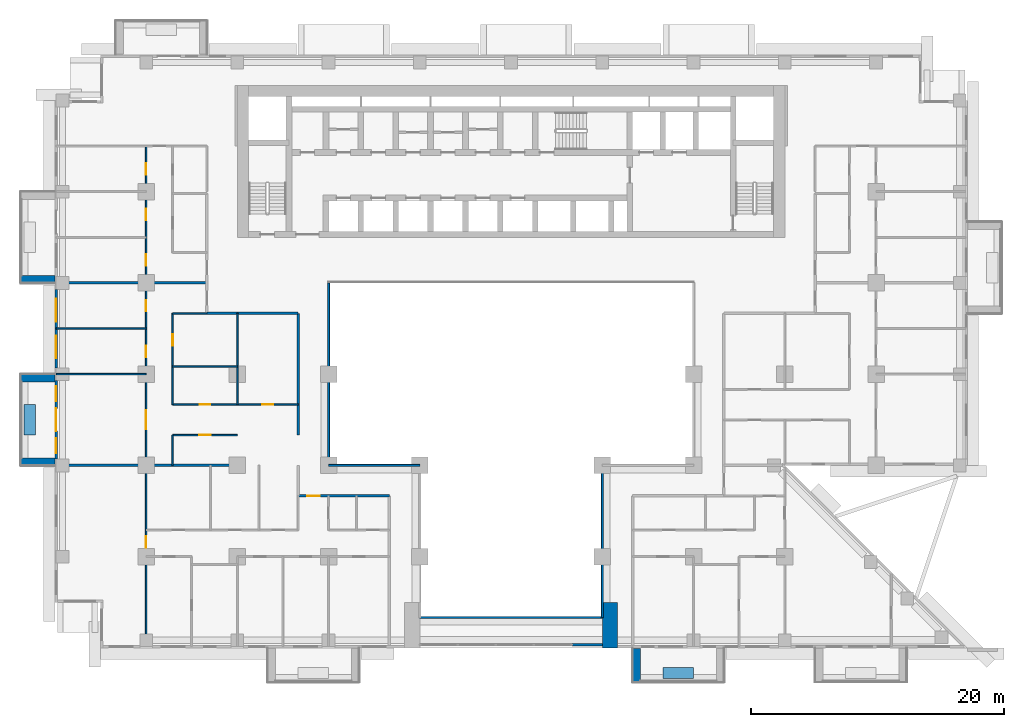
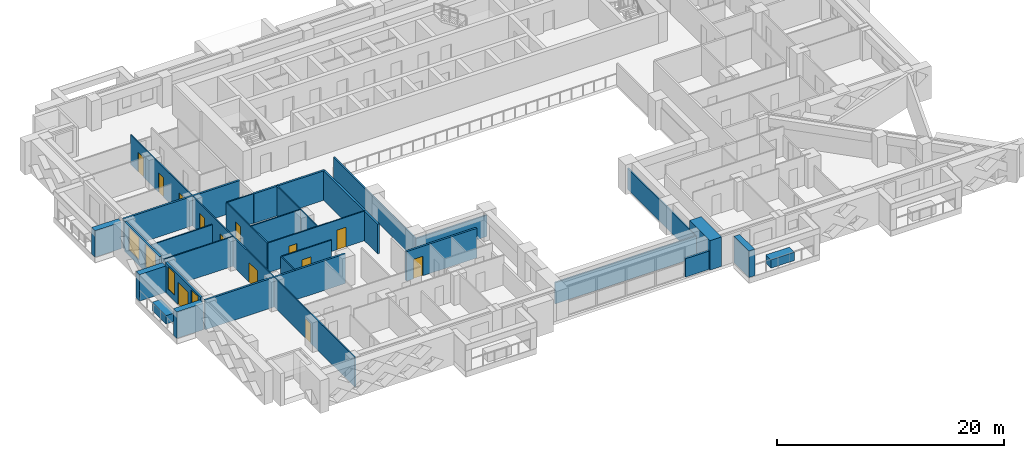
# One storey, part 7 of 17: 29 walls, 13 doors, 4 windows, 17 openings.
"""IFC4 building model written with IfcOpenShell, lengths in metres."""

import ifcopenshell
import ifcopenshell.guid

model = None  # the IFC model being written
_history = None  # IfcOwnerHistory: only IFC2X3 demands one
_inside = {}  # id of a spatial element -> (the spatial element, [elements in it])
_under = {}  # id of a project, library or spatial element -> (it, [spatial elements below it])
_declared = {}  # id of a project -> (the project, [libraries it declares])
_typed = {}  # id of a type object -> (the type object, [elements of that type])
_made_of = {}  # id of a material, layer set ... -> (it, [elements and type objects made of it])


def new_model(schema):
    """Start an empty IFC model of exactly this schema.

    Asked for "IFC4X3", IfcOpenShell would pick the latest addendum, in which some entities
    have other attributes; the version numbers below select the first issue.
    IFC2X3 requires an IfcOwnerHistory on every rooted entity: one is made here for all.
    """
    global model, _history
    if schema == "IFC4X3":
        model = ifcopenshell.file(schema_version=(4, 3, 0, 0))
    else:
        model = ifcopenshell.file(schema=schema)
    _inside.clear()
    _under.clear()
    _declared.clear()
    _typed.clear()
    _made_of.clear()
    _history = None
    if model.schema == "IFC2X3":
        org = make("IfcOrganization", Name="unknown")
        user = make(
            "IfcPersonAndOrganization",
            ThePerson=make("IfcPerson", FamilyName="unknown"),
            TheOrganization=org,
        )
        app = make(
            "IfcApplication",
            ApplicationDeveloper=org,
            Version="unknown",
            ApplicationFullName="unknown",
            ApplicationIdentifier="unknown",
        )
        _history = make(
            "IfcOwnerHistory",
            OwningUser=user,
            OwningApplication=app,
            ChangeAction="ADDED",
            CreationDate=0,
        )
    return model


def make(cls, **values):
    """One entity of the class cls with the attributes given. An attribute that is None is left unset."""
    return model.create_entity(
        cls, **{name: value for name, value in values.items() if value is not None}
    )


def rooted(cls, **values):
    """An entity with a GlobalId (a new one), such as an element, a storey or a relation."""
    return make(cls, GlobalId=ifcopenshell.guid.new(), OwnerHistory=_history, **values)


def si_unit(unit_type, name, prefix=None):
    """IfcSIUnit, for example si_unit("LENGTHUNIT", "METRE", prefix="MILLI")."""
    return make("IfcSIUnit", UnitType=unit_type, Prefix=prefix, Name=name)


def assignment(units):
    """IfcUnitAssignment: the units of a project."""
    return None if units is None else make("IfcUnitAssignment", Units=units)


def point(xyz):
    """IfcCartesianPoint."""
    return None if xyz is None else make("IfcCartesianPoint", Coordinates=xyz)


def direction(xyz):
    """IfcDirection."""
    return None if xyz is None else make("IfcDirection", DirectionRatios=xyz)


def frame(location, z_axis=None, x_axis=None):
    """IfcAxis2Placement3D, a coordinate frame: its origin and axes. An axis left out is left unset."""
    return make(
        "IfcAxis2Placement3D",
        Location=point(location),
        Axis=direction(z_axis),
        RefDirection=direction(x_axis),
    )


def frame_2d(location, x_axis=None):
    """IfcAxis2Placement2D, a coordinate frame in the plane: its origin and x axis."""
    return make(
        "IfcAxis2Placement2D", Location=point(location), RefDirection=direction(x_axis)
    )


def origin():
    """The frame at (0, 0, 0) with its axes left unset."""
    return frame((0.0, 0.0, 0.0))


def place(relative_to, where):
    """IfcLocalPlacement: puts the frame where relative to a parent placement (None: the world)."""
    return make(
        "IfcLocalPlacement", PlacementRelTo=relative_to, RelativePlacement=where
    )


def context(
    kind, dimensions, precision=None, world=None, true_north=None, identifier=None
):
    """IfcGeometricRepresentationContext, for example the 3D "Model" context."""
    return make(
        "IfcGeometricRepresentationContext",
        ContextIdentifier=identifier,
        ContextType=kind,
        CoordinateSpaceDimension=dimensions,
        Precision=precision,
        WorldCoordinateSystem=world,
        TrueNorth=true_north,
    )


def subcontext(parent, identifier, kind, view, scale=None):
    """IfcGeometricRepresentationSubContext, for example "Body" below "Model"."""
    return make(
        "IfcGeometricRepresentationSubContext",
        ContextIdentifier=identifier,
        ContextType=kind,
        ParentContext=parent,
        TargetScale=scale,
        TargetView=view,
    )


def project(units=None, contexts=None):
    """IfcProject with its units and contexts."""
    return rooted(
        "IfcProject",
        Name="project",
        RepresentationContexts=contexts,
        UnitsInContext=assignment(units),
    )


def spatial(cls, under=None, at=None, **own):
    """A site, building, storey or space (cls), placed at a placement, below another one or the project."""
    s = rooted(cls, ObjectPlacement=at, **own)
    if under is not None:
        _under.setdefault(under.id(), (under, []))[1].append(s)
    return s


def profile(cls, at=None, kind="AREA", **sizes):
    """A parametric profile (cls). Its sizes go by their IFC names, for example OverallWidth=200.0."""
    return make(cls, ProfileType=kind, Position=at, **sizes)


def rectangle(**sizes):
    """IfcRectangleProfileDef."""
    return profile("IfcRectangleProfileDef", **sizes)


def extrude(swept, where, along, depth):
    """IfcExtrudedAreaSolid: the profile swept, set in the frame where, extruded along a direction by depth."""
    return make(
        "IfcExtrudedAreaSolid",
        SweptArea=swept,
        Position=where,
        ExtrudedDirection=direction(along),
        Depth=depth,
    )


def shape(context_of_items, identifier, shape_type, items):
    """IfcShapeRepresentation: the items that make up one representation, for example the "Body"."""
    return make(
        "IfcShapeRepresentation",
        ContextOfItems=context_of_items,
        RepresentationIdentifier=identifier,
        RepresentationType=shape_type,
        Items=items,
    )


def material(Name=None, Category=None):
    """IfcMaterial."""
    return make("IfcMaterial", Name=Name, Category=Category)


def layer(
    of_material, thickness, ventilated=None, Name=None, Category=None, Priority=None
):
    """IfcMaterialLayer: one layer of a wall or slab, of a material (None: an air gap)."""
    return make(
        "IfcMaterialLayer",
        Material=of_material,
        LayerThickness=thickness,
        IsVentilated=ventilated,
        Name=Name,
        Category=Category,
        Priority=Priority,
    )


def layer_set(layers, Name=None):
    """IfcMaterialLayerSet."""
    return make("IfcMaterialLayerSet", MaterialLayers=layers, LayerSetName=Name)


def made_of(thing, what):
    """Note that an element or type object is made of a material, layer set ...; save() writes the relation."""
    if what is not None:
        _made_of.setdefault(what.id(), (what, []))[1].append(thing)
    return thing


def type_object(cls, material=None, **own):
    """A type object (cls), such as IfcWallType, which elements share."""
    return made_of(rooted(cls, **own), material)


def element(
    cls,
    number,
    at=None,
    inside=None,
    cuts=None,
    type_object=None,
    material=None,
    context=None,
    identifier="Body",
    shape_type=None,
    held_by="IfcProductDefinitionShape",
    body=None,
    shapes=None,
    **own,
):
    """One element of the class cls, such as IfcWall. Its Tag is "e" and its number.

    at: its placement. inside: the storey or other place that contains it. cuts: it is an
    opening in that element (IfcRelVoidsElement). A single representation is given by context,
    identifier, shape_type and body (its items); several are given by shapes. held_by: the class
    of the entity that holds the representations. save() writes the other relations.
    """
    e = rooted(cls, Tag="e%d" % number, ObjectPlacement=at, **own)
    if body is not None:
        shapes = [shape(context, identifier, shape_type, body)]
    if shapes is not None:
        e.Representation = make(held_by, Representations=shapes)
    if inside is not None:
        _inside.setdefault(inside.id(), (inside, []))[1].append(e)
    if cuts is not None:
        rooted(
            "IfcRelVoidsElement", RelatingBuildingElement=cuts, RelatedOpeningElement=e
        )
    if type_object is not None:
        _typed.setdefault(type_object.id(), (type_object, []))[1].append(e)
    return made_of(e, material)


def fill(opening, filler):
    """IfcRelFillsElement: the door or window that sits in an opening."""
    return rooted(
        "IfcRelFillsElement",
        RelatingOpeningElement=opening,
        RelatedBuildingElement=filler,
    )


def aggregate(whole, parts):
    """IfcRelAggregates: a whole, such as a stair, and the parts it consists of."""
    return rooted("IfcRelAggregates", RelatingObject=whole, RelatedObjects=parts)


def save(model, path):
    """Write the relations noted so far, then the file.

    IfcRelAggregates (storeys below a building ...), IfcRelContainedInSpatialStructure (elements
    in a storey), IfcRelDefinesByType, IfcRelAssociatesMaterial and IfcRelDeclares: one each for
    every whole, place, type object, material and project.
    """
    for whole, parts in _under.values():
        aggregate(whole, parts)
    for where, things in _inside.values():
        rooted(
            "IfcRelContainedInSpatialStructure",
            RelatedElements=things,
            RelatingStructure=where,
        )
    for kind, things in _typed.values():
        rooted("IfcRelDefinesByType", RelatedObjects=things, RelatingType=kind)
    for what, things in _made_of.values():
        rooted("IfcRelAssociatesMaterial", RelatedObjects=things, RelatingMaterial=what)
    for by, libraries in _declared.values():
        rooted("IfcRelDeclares", RelatingContext=by, RelatedDefinitions=libraries)
    model.write(path)


model = new_model("IFC4")

# Units and contexts
model_context = context("Model", 3, precision=1e-05, world=origin(), true_north=direction((0.0, 1.0)))
body_context = subcontext(model_context, "Body", "Model", "MODEL_VIEW")
ifc_project = project(units=[si_unit("LENGTHUNIT", "METRE"), si_unit("AREAUNIT", "SQUARE_METRE"), si_unit("VOLUMEUNIT", "CUBIC_METRE"), si_unit("PLANEANGLEUNIT", "RADIAN"), si_unit("MASSUNIT", "GRAM", prefix="KILO")], contexts=[model_context])

# Site, building, storey
site_placement = place(None, origin())
site = spatial("IfcSite", under=ifc_project, at=site_placement, CompositionType="ELEMENT")
building_placement = place(site_placement, origin())
building = spatial("IfcBuilding", under=site, at=building_placement, Name="Saffron Iwan Residences", CompositionType="ELEMENT")
storey_placement = place(building_placement, frame((0.0, 0.0, 79.5)))
storey = spatial("IfcBuildingStorey", under=building, at=storey_placement, Name="L20", CompositionType="ELEMENT", Elevation=79.5)

# Walls
ifc_material_1 = material(Name="Fire-rated glazing", Category="glass")
ifc_layer_1 = layer(ifc_material_1, 0.14990234375)
ifc_layer_set_1 = layer_set([ifc_layer_1], Name="Fire-rated glazing")
wall_type_1 = type_object("IfcWallType", Name="Atrium glazed screen 150", PredefinedType="SOLIDWALL", material=ifc_layer_set_1)
wall_1_placement = place(storey_placement, frame((43.199951171875, 36.0, 0.0), z_axis=(0.0, 0.0, 1.0), x_axis=(1.0, 0.0, 0.0)))
element("IfcWall", 1, at=wall_1_placement, inside=storey, type_object=wall_type_1, Name="W-L20-SCREEN-h36-43.2", PredefinedType="SOLIDWALL", context=body_context, shape_type="SweptSolid", body=[
    extrude(rectangle(XDim=14.400146484375, YDim=0.14990234375, at=frame_2d((7.2001953125, 0.0))), origin(), (0.0, 0.0, 1.0), 2.280029296875),
])
wall_2_placement = place(storey_placement, frame((36.0, 48.0, 0.0), z_axis=(0.0, 0.0, 1.0), x_axis=(1.0, 0.0, 0.0)))
element("IfcWall", 2, at=wall_2_placement, inside=storey, type_object=wall_type_1, Name="W-L20-SCREEN-h48-36", PredefinedType="SOLIDWALL", context=body_context, shape_type="SweptSolid", body=[
    extrude(rectangle(XDim=7.199951171875, YDim=0.14990234375, at=frame_2d((3.60009765625, 0.0))), origin(), (0.0, 0.0, 1.0), 2.280029296875),
])
wall_3_placement = place(storey_placement, frame((36.0, 48.0, 0.0), z_axis=(0.0, 0.0, 1.0), x_axis=(0.0, 1.0, 0.0)))
element("IfcWall", 3, at=wall_3_placement, inside=storey, type_object=wall_type_1, Name="W-L20-SCREEN-v36-48", PredefinedType="SOLIDWALL", context=body_context, shape_type="SweptSolid", body=[
    extrude(rectangle(XDim=14.39990234375, YDim=0.14990234375, at=frame_2d((7.199951171875, 0.0))), origin(), (0.0, 0.0, 1.0), 2.280029296875),
])
wall_4_placement = place(storey_placement, frame((57.60009765625, 36.0, 0.0), z_axis=(0.0, 0.0, 1.0), x_axis=(0.0, 1.0, 0.0)))
element("IfcWall", 4, at=wall_4_placement, inside=storey, type_object=wall_type_1, Name="W-L20-SCREEN-v57.6-36", PredefinedType="SOLIDWALL", context=body_context, shape_type="SweptSolid", body=[
    extrude(rectangle(XDim=12.0, YDim=0.14990234375, at=frame_2d((6.0, 0.0))), origin(), (0.0, 0.0, 1.0), 2.280029296875),
])
ifc_material_2 = material(Name="Concrete C50/60 white painted", Category="concrete")
ifc_layer_2 = layer(ifc_material_2, 0.60009765625)
ifc_layer_set_2 = layer_set([ifc_layer_2], Name="Concrete C50/60 white painted")
wall_type_2 = type_object("IfcWallType", Name="BALCONY FIN 600", PredefinedType="SOLIDWALL", material=ifc_layer_set_2)
for number, where, z_axis, x_axis, name in (
    (5, (14.39990234375, 62.699951171875, 0.0), (0.0, 0.0, 1.0), (-1.0, 0.0, 0.0), "Balcony fin L20 F8-0b"),
    (6, (14.39990234375, 54.89990234375, 0.0), (0.0, 0.0, 1.0), (-1.0, 0.0, 0.0), "Balcony fin L20 F8-1a"),
    (7, (14.39990234375, 48.300048828125, 0.0), (0.0, 0.0, 1.0), (-1.0, 0.0, 0.0), "Balcony fin L20 F8-1b"),
):
    element("IfcWall", number, at=place(storey_placement, frame(where, z_axis=z_axis, x_axis=x_axis)), inside=storey, type_object=wall_type_2, Name=name, PredefinedType="SOLIDWALL", context=body_context, shape_type="SweptSolid", body=[
        extrude(rectangle(XDim=2.699951171875, YDim=0.60009765625, at=frame_2d((1.35009765625, 0.0))), origin(), (0.0, 0.0, 1.0), 2.85009765625),
    ])
wall_5_placement = place(storey_placement, frame((60.300048828125, 33.550048828125, 0.0), z_axis=(0.0, 0.0, 1.0), x_axis=(0.0, -1.0, 0.0)))
element("IfcWall", 8, at=wall_5_placement, inside=storey, type_object=wall_type_2, Name="Balcony fin L20 11-1a", PredefinedType="SOLIDWALL", context=body_context, shape_type="SweptSolid", body=[
    extrude(rectangle(XDim=2.650146484375, YDim=0.60009765625, at=frame_2d((1.3251953125, 0.0))), origin(), (0.0, 0.0, 1.0), 2.85009765625),
])
ifc_material_3 = material(Name="Concrete C35/45 white painted", Category="concrete")
ifc_layer_3 = layer(ifc_material_3, 0.14990234375)
ifc_layer_set_3 = layer_set([ifc_layer_3], Name="Concrete C35/45 white painted")
wall_type_3 = type_object("IfcWallType", Name="BALCONY PLANTER", PredefinedType="SOLIDWALL", material=ifc_layer_set_3)
for number, where, z_axis, x_axis, name in (
    (9, (12.425048828125, 52.800048828125, 0.0), (0.0, 0.0, 1.0), (0.0, -1.0, 0.0), "PLANTER L20 F8-1"),
    (10, (62.39990234375, 31.625, 0.0), (0.0, 0.0, 1.0), (1.0, 0.0, 0.0), "PLANTER L20 11-1"),
):
    element("IfcWall", number, at=place(storey_placement, frame(where, z_axis=z_axis, x_axis=x_axis)), inside=storey, type_object=wall_type_3, Name=name, PredefinedType="SOLIDWALL", context=body_context, shape_type="SweptSolid", body=[
        extrude(rectangle(XDim=2.400146484375, YDim=0.89990234375, at=frame_2d((1.2001953125, 0.0))), origin(), (0.0, 0.0, 1.0), 0.89990234375),
    ])

# Wall, openings, windows
ifc_material_4 = material(Name="Concrete C40/50", Category="concrete")
ifc_layer_4 = layer(ifc_material_4, 0.199951171875)
ifc_layer_set_4 = layer_set([ifc_layer_4], Name="Concrete C40/50")
wall_type_4 = type_object("IfcWallType", Name="EXTERNAL WALL 200", PredefinedType="SOLIDWALL", material=ifc_layer_set_4)
wall_6_placement = place(storey_placement, frame((14.5, 61.89990234375, 0.0), z_axis=(0.0, 0.0, 1.0), x_axis=(0.0, -1.0, 0.0)))
wall_6 = element("IfcWall", 11, at=wall_6_placement, inside=storey, type_object=wall_type_4, Name="External wall L20 F8.2", PredefinedType="SOLIDWALL", context=body_context, shape_type="SweptSolid", body=[
    extrude(rectangle(XDim=6.199951171875, YDim=0.199951171875, at=frame_2d((3.10009765625, 0.0))), origin(), (0.0, 0.0, 1.0), 3.179931640625),
])
opening_1_placement = place(wall_6_placement, frame((3.64990234375, 0.0, 0.60009765625)))
opening_1 = element("IfcOpeningElement", 12, at=opening_1_placement, cuts=wall_6, Name="Opening W8", PredefinedType="OPENING", context=body_context, shape_type="SweptSolid", body=[
    extrude(rectangle(XDim=1.800048828125, YDim=2.39990234375, at=frame_2d((0.89990234375, 1.199951171875))), frame((0.0, 0.10986328125, 0.0), z_axis=(0.0, -1.0, 0.0), x_axis=(1.0, 0.0, 0.0)), (0.0, 0.0, 1.0), 0.219970703125),
])
opening_2_placement = place(wall_6_placement, frame((0.75, 0.0, 0.60009765625)))
opening_2 = element("IfcOpeningElement", 13, at=opening_2_placement, cuts=wall_6, Name="Opening W8", PredefinedType="OPENING", context=body_context, shape_type="SweptSolid", body=[
    extrude(rectangle(XDim=1.800048828125, YDim=2.39990234375, at=frame_2d((0.89990234375, 1.199951171875))), frame((0.0, 0.10986328125, 0.0), z_axis=(0.0, -1.0, 0.0), x_axis=(1.0, 0.0, 0.0)), (0.0, 0.0, 1.0), 0.219970703125),
])
ifc_material_5 = material(Name="Clear glass, laminated double glazed", Category="glass")
window_type_1 = type_object("IfcWindowType", Name="WINDOW 1800 x 2400", PartitioningType="DOUBLE_PANEL_VERTICAL", PredefinedType="WINDOW", material=ifc_material_5)
window_1_placement = place(opening_1_placement, origin())
window_1 = element("IfcWindow", 14, at=window_1_placement, inside=storey, type_object=window_type_1, Name="Window L20 F8.0", OverallHeight=2.39990234375, OverallWidth=1.800048828125, PartitioningType="DOUBLE_PANEL_VERTICAL", PredefinedType="WINDOW", context=body_context, shape_type="SweptSolid", body=[
    extrude(rectangle(XDim=1.800048828125, YDim=2.39990234375, at=frame_2d((0.89990234375, 1.199951171875))), frame((0.0, 0.030029296875, 0.0), z_axis=(0.0, -1.0, 0.0), x_axis=(1.0, 0.0, 0.0)), (0.0, 0.0, 1.0), 0.06005859375),
])
fill(opening_1, window_1)
window_2_placement = place(opening_2_placement, origin())
window_2 = element("IfcWindow", 15, at=window_2_placement, inside=storey, type_object=window_type_1, Name="Window L20 F8.1", OverallHeight=2.39990234375, OverallWidth=1.800048828125, PartitioningType="DOUBLE_PANEL_VERTICAL", PredefinedType="WINDOW", context=body_context, shape_type="SweptSolid", body=[
    extrude(rectangle(XDim=1.800048828125, YDim=2.39990234375, at=frame_2d((0.89990234375, 1.199951171875))), frame((0.0, 0.030029296875, 0.0), z_axis=(0.0, -1.0, 0.0), x_axis=(1.0, 0.0, 0.0)), (0.0, 0.0, 1.0), 0.06005859375),
])
fill(opening_2, window_2)

# Wall, openings, door, windows
wall_7_placement = place(storey_placement, frame((14.5, 54.699951171875, 0.0), z_axis=(0.0, 0.0, 1.0), x_axis=(0.0, -1.0, 0.0)))
wall_7 = element("IfcWall", 16, at=wall_7_placement, inside=storey, type_object=wall_type_4, Name="External wall L20 F8.3", PredefinedType="SOLIDWALL", context=body_context, shape_type="SweptSolid", body=[
    extrude(rectangle(XDim=6.199951171875, YDim=0.199951171875, at=frame_2d((3.10009765625, 0.0))), origin(), (0.0, 0.0, 1.0), 3.179931640625),
])
opening_3_placement = place(wall_7_placement, frame((2.199951171875, 0.0, 0.0)))
opening_3 = element("IfcOpeningElement", 17, at=opening_3_placement, cuts=wall_7, Name="Opening BD1", PredefinedType="OPENING", context=body_context, shape_type="SweptSolid", body=[
    extrude(rectangle(XDim=1.800048828125, YDim=2.39990234375, at=frame_2d((0.89990234375, 1.199951171875))), frame((0.0, 0.10986328125, 0.0), z_axis=(0.0, -1.0, 0.0), x_axis=(1.0, 0.0, 0.0)), (0.0, 0.0, 1.0), 0.219970703125),
])
opening_4_placement = place(wall_7_placement, frame((0.449951171875, 0.0, 0.60009765625)))
opening_4 = element("IfcOpeningElement", 18, at=opening_4_placement, cuts=wall_7, Name="Opening W3", PredefinedType="OPENING", context=body_context, shape_type="SweptSolid", body=[
    extrude(rectangle(XDim=1.199951171875, YDim=2.39990234375, at=frame_2d((0.60009765625, 1.199951171875))), frame((0.0, 0.10986328125, 0.0), z_axis=(0.0, -1.0, 0.0), x_axis=(1.0, 0.0, 0.0)), (0.0, 0.0, 1.0), 0.219970703125),
])
opening_5_placement = place(wall_7_placement, frame((4.550048828125, 0.0, 0.60009765625)))
opening_5 = element("IfcOpeningElement", 19, at=opening_5_placement, cuts=wall_7, Name="Opening W3", PredefinedType="OPENING", context=body_context, shape_type="SweptSolid", body=[
    extrude(rectangle(XDim=1.199951171875, YDim=2.39990234375, at=frame_2d((0.60009765625, 1.199951171875))), frame((0.0, 0.10986328125, 0.0), z_axis=(0.0, -1.0, 0.0), x_axis=(1.0, 0.0, 0.0)), (0.0, 0.0, 1.0), 0.219970703125),
])
door_type_1 = type_object("IfcDoorType", Name="BALCONY DOOR 1800 x 2400", OperationType="DOUBLE_DOOR_SLIDING", PredefinedType="DOOR", material=ifc_material_5)
door_1_placement = place(opening_3_placement, origin())
door_1 = element("IfcDoor", 20, at=door_1_placement, inside=storey, type_object=door_type_1, Name="Balcony door L20 F8.0", OperationType="DOUBLE_DOOR_SLIDING", OverallHeight=2.39990234375, OverallWidth=1.800048828125, PredefinedType="DOOR", context=body_context, shape_type="SweptSolid", body=[
    extrude(rectangle(XDim=1.800048828125, YDim=2.39990234375, at=frame_2d((0.89990234375, 1.199951171875))), frame((0.0, 0.02490234375, 0.0), z_axis=(0.0, -1.0, 0.0), x_axis=(1.0, 0.0, 0.0)), (0.0, 0.0, 1.0), 0.050048828125),
])
fill(opening_3, door_1)
window_type_2 = type_object("IfcWindowType", Name="WINDOW 1200 x 2400", PartitioningType="SINGLE_PANEL", PredefinedType="WINDOW", material=ifc_material_5)
window_3_placement = place(opening_4_placement, origin())
window_3 = element("IfcWindow", 21, at=window_3_placement, inside=storey, type_object=window_type_2, Name="Window L20 F8.1", OverallHeight=2.39990234375, OverallWidth=1.199951171875, PartitioningType="SINGLE_PANEL", PredefinedType="WINDOW", context=body_context, shape_type="SweptSolid", body=[
    extrude(rectangle(XDim=1.199951171875, YDim=2.39990234375, at=frame_2d((0.60009765625, 1.199951171875))), frame((0.0, 0.030029296875, 0.0), z_axis=(0.0, -1.0, 0.0), x_axis=(1.0, 0.0, 0.0)), (0.0, 0.0, 1.0), 0.06005859375),
])
fill(opening_4, window_3)
window_4_placement = place(opening_5_placement, origin())
window_4 = element("IfcWindow", 22, at=window_4_placement, inside=storey, type_object=window_type_2, Name="Window L20 F8.2", OverallHeight=2.39990234375, OverallWidth=1.199951171875, PartitioningType="SINGLE_PANEL", PredefinedType="WINDOW", context=body_context, shape_type="SweptSolid", body=[
    extrude(rectangle(XDim=1.199951171875, YDim=2.39990234375, at=frame_2d((0.60009765625, 1.199951171875))), frame((0.0, 0.030029296875, 0.0), z_axis=(0.0, -1.0, 0.0), x_axis=(1.0, 0.0, 0.0)), (0.0, 0.0, 1.0), 0.06005859375),
])
fill(opening_5, window_4)

# Walls
wall_8_placement = place(storey_placement, frame((55.199951171875, 33.85009765625, 0.0), z_axis=(0.0, 0.0, 1.0), x_axis=(1.0, 0.0, 0.0)))
element("IfcWall", 23, at=wall_8_placement, inside=storey, type_object=wall_type_4, Name="External wall infill CWB-L20-0", PredefinedType="SOLIDWALL", context=body_context, shape_type="SweptSolid", body=[
    extrude(rectangle(XDim=2.400146484375, YDim=0.199951171875, at=frame_2d((1.2001953125, 0.0))), origin(), (0.0, 0.0, 1.0), 1.97998046875),
])
ifc_material_6 = material(Name="Fire-rated gypsum board wall")
ifc_layer_5 = layer(ifc_material_6, 0.199951171875)
ifc_layer_set_5 = layer_set([ifc_layer_5], Name="Fire-rated gypsum board wall")
wall_type_5 = type_object("IfcWallType", Name="Flat demising wall 200", PredefinedType="SOLIDWALL", material=ifc_layer_set_5)
wall_9_placement = place(storey_placement, frame((14.52490234375, 48.0, 0.0), z_axis=(0.0, 0.0, 1.0), x_axis=(1.0, 0.0, 0.0)))
element("IfcWall", 24, at=wall_9_placement, inside=storey, type_object=wall_type_5, Name="W-L20-DEMISE-h48-14.525", PredefinedType="SOLIDWALL", context=body_context, shape_type="SweptSolid", body=[
    extrude(rectangle(XDim=14.275146484375, YDim=0.199951171875, at=frame_2d((7.1376953125, 0.0))), origin(), (0.0, 0.0, 1.0), 3.179931640625),
])
wall_10_placement = place(storey_placement, frame((14.52490234375, 62.39990234375, 0.0), z_axis=(0.0, 0.0, 1.0), x_axis=(1.0, 0.0, 0.0)))
element("IfcWall", 25, at=wall_10_placement, inside=storey, type_object=wall_type_5, Name="W-L20-DEMISE-h62.4-14.525", PredefinedType="SOLIDWALL", context=body_context, shape_type="SweptSolid", body=[
    extrude(rectangle(XDim=11.875, YDim=0.199951171875, at=frame_2d((5.9375, 0.0))), origin(), (0.0, 0.0, 1.0), 3.179931640625),
])

# Wall, opening, door
ifc_material_7 = material(Name="Gypsum board partition")
ifc_layer_6 = layer(ifc_material_7, 0.1201171875)
ifc_layer_set_6 = layer_set([ifc_layer_6], Name="Gypsum board partition")
wall_type_6 = type_object("IfcWallType", Name="Flat partition 120", PredefinedType="PARTITIONING", material=ifc_layer_set_6)
wall_11_placement = place(storey_placement, frame((23.699951171875, 50.39990234375, 0.0), z_axis=(0.0, 0.0, 1.0), x_axis=(1.0, 0.0, 0.0)))
wall_11 = element("IfcWall", 26, at=wall_11_placement, inside=storey, type_object=wall_type_6, Name="W-L20-PART-h50.4-23.7", PredefinedType="PARTITIONING", context=body_context, shape_type="SweptSolid", body=[
    extrude(rectangle(XDim=5.10009765625, YDim=0.1201171875, at=frame_2d((2.550048828125, 0.0))), origin(), (0.0, 0.0, 1.0), 3.179931640625),
])
opening_6_placement = place(wall_11_placement, frame((2.10009765625, 0.0, 0.0)))
opening_6 = element("IfcOpeningElement", 27, at=opening_6_placement, cuts=wall_11, Name="Opening FD2", PredefinedType="OPENING", context=body_context, shape_type="SweptSolid", body=[
    extrude(rectangle(XDim=0.89990234375, YDim=2.10009765625, at=frame_2d((0.449951171875, 1.050048828125))), frame((0.0, 0.070068359375, 0.0), z_axis=(0.0, -1.0, 0.0), x_axis=(1.0, 0.0, 0.0)), (0.0, 0.0, 1.0), 0.14013671875),
])
ifc_material_8 = material(Name="Timber door", Category="wood")
door_type_2 = type_object("IfcDoorType", Name="Flat door 900", OperationType="NOTDEFINED", PredefinedType="DOOR", material=ifc_material_8)
door_2_placement = place(opening_6_placement, origin())
door_2 = element("IfcDoor", 28, at=door_2_placement, inside=storey, type_object=door_type_2, Name="Door L20-017", OperationType="SINGLE_SWING_RIGHT", OverallHeight=2.10009765625, OverallWidth=0.89990234375, PredefinedType="DOOR", context=body_context, shape_type="SweptSolid", body=[
    extrude(rectangle(XDim=0.89990234375, YDim=2.10009765625, at=frame_2d((0.449951171875, 1.050048828125))), frame((0.0, 0.02490234375, 0.0), z_axis=(0.0, -1.0, 0.0), x_axis=(1.0, 0.0, 0.0)), (0.0, 0.0, 1.0), 0.050048828125),
])
fill(opening_6, door_2)

# Wall, openings, doors
wall_12_placement = place(storey_placement, frame((23.699951171875, 52.800048828125, 0.0), z_axis=(0.0, 0.0, 1.0), x_axis=(1.0, 0.0, 0.0)))
wall_12 = element("IfcWall", 29, at=wall_12_placement, inside=storey, type_object=wall_type_6, Name="W-L20-PART-h52.8-23.7", PredefinedType="PARTITIONING", context=body_context, shape_type="SweptSolid", body=[
    extrude(rectangle(XDim=9.900146484375, YDim=0.1201171875, at=frame_2d((4.9501953125, 0.0))), origin(), (0.0, 0.0, 1.0), 3.179931640625),
])
opening_7_placement = place(wall_12_placement, frame((2.14990234375, 0.0, 0.0)))
opening_7 = element("IfcOpeningElement", 30, at=opening_7_placement, cuts=wall_12, Name="Opening FD3", PredefinedType="OPENING", context=body_context, shape_type="SweptSolid", body=[
    extrude(rectangle(XDim=0.800048828125, YDim=2.10009765625, at=frame_2d((0.39990234375, 1.050048828125))), frame((0.0, 0.070068359375, 0.0), z_axis=(0.0, -1.0, 0.0), x_axis=(1.0, 0.0, 0.0)), (0.0, 0.0, 1.0), 0.14013671875),
])
opening_8_placement = place(wall_12_placement, frame((7.050048828125, 0.0, 0.0)))
opening_8 = element("IfcOpeningElement", 31, at=opening_8_placement, cuts=wall_12, Name="Opening FD2", PredefinedType="OPENING", context=body_context, shape_type="SweptSolid", body=[
    extrude(rectangle(XDim=0.89990234375, YDim=2.10009765625, at=frame_2d((0.449951171875, 1.050048828125))), frame((0.0, 0.070068359375, 0.0), z_axis=(0.0, -1.0, 0.0), x_axis=(1.0, 0.0, 0.0)), (0.0, 0.0, 1.0), 0.14013671875),
])
door_type_3 = type_object("IfcDoorType", Name="Bathroom door 800", OperationType="NOTDEFINED", PredefinedType="DOOR", material=ifc_material_8)
door_3_placement = place(opening_7_placement, origin())
door_3 = element("IfcDoor", 32, at=door_3_placement, inside=storey, type_object=door_type_3, Name="Door L20-018", OperationType="SINGLE_SWING_LEFT", OverallHeight=2.10009765625, OverallWidth=0.800048828125, PredefinedType="DOOR", context=body_context, shape_type="SweptSolid", body=[
    extrude(rectangle(XDim=0.800048828125, YDim=2.10009765625, at=frame_2d((0.39990234375, 1.050048828125))), frame((0.0, 0.02490234375, 0.0), z_axis=(0.0, -1.0, 0.0), x_axis=(1.0, 0.0, 0.0)), (0.0, 0.0, 1.0), 0.050048828125),
])
fill(opening_7, door_3)
door_4_placement = place(opening_8_placement, origin())
door_4 = element("IfcDoor", 33, at=door_4_placement, inside=storey, type_object=door_type_2, Name="Door L20-020", OperationType="SINGLE_SWING_RIGHT", OverallHeight=2.10009765625, OverallWidth=0.89990234375, PredefinedType="DOOR", context=body_context, shape_type="SweptSolid", body=[
    extrude(rectangle(XDim=0.89990234375, YDim=2.10009765625, at=frame_2d((0.449951171875, 1.050048828125))), frame((0.0, 0.02490234375, 0.0), z_axis=(0.0, -1.0, 0.0), x_axis=(1.0, 0.0, 0.0)), (0.0, 0.0, 1.0), 0.050048828125),
])
fill(opening_8, door_4)

# Walls
wall_13_placement = place(storey_placement, frame((14.52490234375, 55.199951171875, 0.0), z_axis=(0.0, 0.0, 1.0), x_axis=(1.0, 0.0, 0.0)))
element("IfcWall", 34, at=wall_13_placement, inside=storey, type_object=wall_type_6, Name="W-L20-PART-h55.2-14.525", PredefinedType="PARTITIONING", context=body_context, shape_type="SweptSolid", body=[
    extrude(rectangle(XDim=7.0751953125, YDim=0.1201171875, at=frame_2d((3.53759765625, 0.0))), origin(), (0.0, 0.0, 1.0), 3.179931640625),
])
wall_14_placement = place(storey_placement, frame((23.699951171875, 55.800048828125, 0.0), z_axis=(0.0, 0.0, 1.0), x_axis=(1.0, 0.0, 0.0)))
element("IfcWall", 35, at=wall_14_placement, inside=storey, type_object=wall_type_6, Name="W-L20-PART-h55.8-23.7", PredefinedType="PARTITIONING", context=body_context, shape_type="SweptSolid", body=[
    extrude(rectangle(XDim=5.10009765625, YDim=0.1201171875, at=frame_2d((2.550048828125, 0.0))), origin(), (0.0, 0.0, 1.0), 3.179931640625),
])
wall_15_placement = place(storey_placement, frame((14.52490234375, 58.800048828125, 0.0), z_axis=(0.0, 0.0, 1.0), x_axis=(1.0, 0.0, 0.0)))
element("IfcWall", 36, at=wall_15_placement, inside=storey, type_object=wall_type_6, Name="W-L20-PART-h58.8-14.525", PredefinedType="PARTITIONING", context=body_context, shape_type="SweptSolid", body=[
    extrude(rectangle(XDim=7.0751953125, YDim=0.1201171875, at=frame_2d((3.53759765625, 0.0))), origin(), (0.0, 0.0, 1.0), 2.280029296875),
])
wall_16_placement = place(storey_placement, frame((23.699951171875, 60.0, 0.0), z_axis=(0.0, 0.0, 1.0), x_axis=(1.0, 0.0, 0.0)))
element("IfcWall", 37, at=wall_16_placement, inside=storey, type_object=wall_type_6, Name="W-L20-PART-h60-23.7", PredefinedType="PARTITIONING", context=body_context, shape_type="SweptSolid", body=[
    extrude(rectangle(XDim=2.699951171875, YDim=0.1201171875, at=frame_2d((1.35009765625, 0.0))), origin(), (0.0, 0.0, 1.0), 3.179931640625),
])

# Wall, openings, doors
wall_17_placement = place(storey_placement, frame((21.60009765625, 33.72509765625, 0.0), z_axis=(0.0, 0.0, 1.0), x_axis=(0.0, 1.0, 0.0)))
wall_17 = element("IfcWall", 38, at=wall_17_placement, inside=storey, type_object=wall_type_6, Name="W-L20-PART-v21.6-33.725", PredefinedType="PARTITIONING", context=body_context, shape_type="SweptSolid", body=[
    extrude(rectangle(XDim=39.474853515625, YDim=0.1201171875, at=frame_2d((19.7373046875, 0.0))), origin(), (0.0, 0.0, 1.0), 3.179931640625),
])
opening_9_placement = place(wall_17_placement, frame((7.77490234375, 0.0, 0.0)))
opening_9 = element("IfcOpeningElement", 39, at=opening_9_placement, cuts=wall_17, Name="Opening FD2", PredefinedType="OPENING", context=body_context, shape_type="SweptSolid", body=[
    extrude(rectangle(XDim=0.89990234375, YDim=2.10009765625, at=frame_2d((0.449951171875, 1.050048828125))), frame((0.0, 0.070068359375, 0.0), z_axis=(0.0, -1.0, 0.0), x_axis=(1.0, 0.0, 0.0)), (0.0, 0.0, 1.0), 0.14013671875),
])
opening_10_placement = place(wall_17_placement, frame((17.125, 0.0, 0.0)))
opening_10 = element("IfcOpeningElement", 40, at=opening_10_placement, cuts=wall_17, Name="Opening FD4", PredefinedType="OPENING", context=body_context, shape_type="SweptSolid", body=[
    extrude(rectangle(XDim=1.5, YDim=2.10009765625, at=frame_2d((0.75, 1.050048828125))), frame((0.0, 0.070068359375, 0.0), z_axis=(0.0, -1.0, 0.0), x_axis=(1.0, 0.0, 0.0)), (0.0, 0.0, 1.0), 0.14013671875),
])
opening_11_placement = place(wall_17_placement, frame((22.824951171875, 0.0, 0.0)))
opening_11 = element("IfcOpeningElement", 41, at=opening_11_placement, cuts=wall_17, Name="Opening FD2", PredefinedType="OPENING", context=body_context, shape_type="SweptSolid", body=[
    extrude(rectangle(XDim=0.89990234375, YDim=2.10009765625, at=frame_2d((0.449951171875, 1.050048828125))), frame((0.0, 0.070068359375, 0.0), z_axis=(0.0, -1.0, 0.0), x_axis=(1.0, 0.0, 0.0)), (0.0, 0.0, 1.0), 0.14013671875),
])
opening_12_placement = place(wall_17_placement, frame((26.425048828125, 0.0, 0.0)))
opening_12 = element("IfcOpeningElement", 42, at=opening_12_placement, cuts=wall_17, Name="Opening FD2", PredefinedType="OPENING", context=body_context, shape_type="SweptSolid", body=[
    extrude(rectangle(XDim=0.89990234375, YDim=2.10009765625, at=frame_2d((0.449951171875, 1.050048828125))), frame((0.0, 0.070068359375, 0.0), z_axis=(0.0, -1.0, 0.0), x_axis=(1.0, 0.0, 0.0)), (0.0, 0.0, 1.0), 0.14013671875),
])
opening_13_placement = place(wall_17_placement, frame((30.02490234375, 0.0, 0.0)))
opening_13 = element("IfcOpeningElement", 43, at=opening_13_placement, cuts=wall_17, Name="Opening FD2", PredefinedType="OPENING", context=body_context, shape_type="SweptSolid", body=[
    extrude(rectangle(XDim=0.89990234375, YDim=2.10009765625, at=frame_2d((0.449951171875, 1.050048828125))), frame((0.0, 0.070068359375, 0.0), z_axis=(0.0, -1.0, 0.0), x_axis=(1.0, 0.0, 0.0)), (0.0, 0.0, 1.0), 0.14013671875),
])
opening_14_placement = place(wall_17_placement, frame((33.625, 0.0, 0.0)))
opening_14 = element("IfcOpeningElement", 44, at=opening_14_placement, cuts=wall_17, Name="Opening FD2", PredefinedType="OPENING", context=body_context, shape_type="SweptSolid", body=[
    extrude(rectangle(XDim=0.89990234375, YDim=2.10009765625, at=frame_2d((0.449951171875, 1.050048828125))), frame((0.0, 0.070068359375, 0.0), z_axis=(0.0, -1.0, 0.0), x_axis=(1.0, 0.0, 0.0)), (0.0, 0.0, 1.0), 0.14013671875),
])
opening_15_placement = place(wall_17_placement, frame((37.22509765625, 0.0, 0.0)))
opening_15 = element("IfcOpeningElement", 45, at=opening_15_placement, cuts=wall_17, Name="Opening FD2", PredefinedType="OPENING", context=body_context, shape_type="SweptSolid", body=[
    extrude(rectangle(XDim=0.89990234375, YDim=2.10009765625, at=frame_2d((0.449951171875, 1.050048828125))), frame((0.0, 0.070068359375, 0.0), z_axis=(0.0, -1.0, 0.0), x_axis=(1.0, 0.0, 0.0)), (0.0, 0.0, 1.0), 0.14013671875),
])
door_type_4 = type_object("IfcDoorType", Name="Double door 1500", OperationType="NOTDEFINED", PredefinedType="DOOR", material=ifc_material_8)
door_5_placement = place(opening_10_placement, origin())
door_5 = element("IfcDoor", 46, at=door_5_placement, inside=storey, type_object=door_type_4, Name="Door L20-014", OperationType="SINGLE_SWING_RIGHT", OverallHeight=2.10009765625, OverallWidth=1.5, PredefinedType="DOOR", context=body_context, shape_type="SweptSolid", body=[
    extrude(rectangle(XDim=1.5, YDim=2.10009765625, at=frame_2d((0.75, 1.050048828125))), frame((0.0, 0.02490234375, 0.0), z_axis=(0.0, -1.0, 0.0), x_axis=(1.0, 0.0, 0.0)), (0.0, 0.0, 1.0), 0.050048828125),
])
fill(opening_10, door_5)
door_6_placement = place(opening_9_placement, origin())
door_6 = element("IfcDoor", 47, at=door_6_placement, inside=storey, type_object=door_type_2, Name="Door L20-002", OperationType="SINGLE_SWING_LEFT", OverallHeight=2.10009765625, OverallWidth=0.89990234375, PredefinedType="DOOR", context=body_context, shape_type="SweptSolid", body=[
    extrude(rectangle(XDim=0.89990234375, YDim=2.10009765625, at=frame_2d((0.449951171875, 1.050048828125))), frame((0.0, 0.02490234375, 0.0), z_axis=(0.0, -1.0, 0.0), x_axis=(1.0, 0.0, 0.0)), (0.0, 0.0, 1.0), 0.050048828125),
])
fill(opening_9, door_6)
door_7_placement = place(opening_11_placement, origin())
door_7 = element("IfcDoor", 48, at=door_7_placement, inside=storey, type_object=door_type_2, Name="Door L20-015", OperationType="SINGLE_SWING_LEFT", OverallHeight=2.10009765625, OverallWidth=0.89990234375, PredefinedType="DOOR", context=body_context, shape_type="SweptSolid", body=[
    extrude(rectangle(XDim=0.89990234375, YDim=2.10009765625, at=frame_2d((0.449951171875, 1.050048828125))), frame((0.0, 0.02490234375, 0.0), z_axis=(0.0, -1.0, 0.0), x_axis=(1.0, 0.0, 0.0)), (0.0, 0.0, 1.0), 0.050048828125),
])
fill(opening_11, door_7)
door_8_placement = place(opening_12_placement, origin())
door_8 = element("IfcDoor", 49, at=door_8_placement, inside=storey, type_object=door_type_2, Name="Door L20-016", OperationType="SINGLE_SWING_LEFT", OverallHeight=2.10009765625, OverallWidth=0.89990234375, PredefinedType="DOOR", context=body_context, shape_type="SweptSolid", body=[
    extrude(rectangle(XDim=0.89990234375, YDim=2.10009765625, at=frame_2d((0.449951171875, 1.050048828125))), frame((0.0, 0.02490234375, 0.0), z_axis=(0.0, -1.0, 0.0), x_axis=(1.0, 0.0, 0.0)), (0.0, 0.0, 1.0), 0.050048828125),
])
fill(opening_12, door_8)
door_9_placement = place(opening_13_placement, origin())
door_9 = element("IfcDoor", 50, at=door_9_placement, inside=storey, type_object=door_type_2, Name="Door L20-030", OperationType="SINGLE_SWING_LEFT", OverallHeight=2.10009765625, OverallWidth=0.89990234375, PredefinedType="DOOR", context=body_context, shape_type="SweptSolid", body=[
    extrude(rectangle(XDim=0.89990234375, YDim=2.10009765625, at=frame_2d((0.449951171875, 1.050048828125))), frame((0.0, 0.02490234375, 0.0), z_axis=(0.0, -1.0, 0.0), x_axis=(1.0, 0.0, 0.0)), (0.0, 0.0, 1.0), 0.050048828125),
])
fill(opening_13, door_9)
door_10_placement = place(opening_14_placement, origin())
door_10 = element("IfcDoor", 51, at=door_10_placement, inside=storey, type_object=door_type_2, Name="Door L20-031", OperationType="SINGLE_SWING_LEFT", OverallHeight=2.10009765625, OverallWidth=0.89990234375, PredefinedType="DOOR", context=body_context, shape_type="SweptSolid", body=[
    extrude(rectangle(XDim=0.89990234375, YDim=2.10009765625, at=frame_2d((0.449951171875, 1.050048828125))), frame((0.0, 0.02490234375, 0.0), z_axis=(0.0, -1.0, 0.0), x_axis=(1.0, 0.0, 0.0)), (0.0, 0.0, 1.0), 0.050048828125),
])
fill(opening_14, door_10)
door_11_placement = place(opening_15_placement, origin())
door_11 = element("IfcDoor", 52, at=door_11_placement, inside=storey, type_object=door_type_2, Name="Door L20-032", OperationType="SINGLE_SWING_RIGHT", OverallHeight=2.10009765625, OverallWidth=0.89990234375, PredefinedType="DOOR", context=body_context, shape_type="SweptSolid", body=[
    extrude(rectangle(XDim=0.89990234375, YDim=2.10009765625, at=frame_2d((0.449951171875, 1.050048828125))), frame((0.0, 0.02490234375, 0.0), z_axis=(0.0, -1.0, 0.0), x_axis=(1.0, 0.0, 0.0)), (0.0, 0.0, 1.0), 0.050048828125),
])
fill(opening_15, door_11)

# Wall
wall_18_placement = place(storey_placement, frame((23.699951171875, 48.0, 0.0), z_axis=(0.0, 0.0, 1.0), x_axis=(0.0, 1.0, 0.0)))
element("IfcWall", 53, at=wall_18_placement, inside=storey, type_object=wall_type_6, Name="W-L20-PART-v23.7-48", PredefinedType="PARTITIONING", context=body_context, shape_type="SweptSolid", body=[
    extrude(rectangle(XDim=2.39990234375, YDim=0.1201171875, at=frame_2d((1.199951171875, 0.0))), origin(), (0.0, 0.0, 1.0), 3.179931640625),
])

# Wall, opening, door
wall_19_placement = place(storey_placement, frame((23.699951171875, 52.800048828125, 0.0), z_axis=(0.0, 0.0, 1.0), x_axis=(0.0, 1.0, 0.0)))
wall_19 = element("IfcWall", 54, at=wall_19_placement, inside=storey, type_object=wall_type_6, Name="W-L20-PART-v23.7-52.8", PredefinedType="PARTITIONING", context=body_context, shape_type="SweptSolid", body=[
    extrude(rectangle(XDim=7.199951171875, YDim=0.1201171875, at=frame_2d((3.60009765625, 0.0))), origin(), (0.0, 0.0, 1.0), 3.179931640625),
])
opening_16_placement = place(wall_19_placement, frame((4.64990234375, 0.0, 0.0)))
opening_16 = element("IfcOpeningElement", 55, at=opening_16_placement, cuts=wall_19, Name="Opening FD2", PredefinedType="OPENING", context=body_context, shape_type="SweptSolid", body=[
    extrude(rectangle(XDim=0.89990234375, YDim=2.10009765625, at=frame_2d((0.449951171875, 1.050048828125))), frame((0.0, 0.070068359375, 0.0), z_axis=(0.0, -1.0, 0.0), x_axis=(1.0, 0.0, 0.0)), (0.0, 0.0, 1.0), 0.14013671875),
])
door_12_placement = place(opening_16_placement, origin())
door_12 = element("IfcDoor", 56, at=door_12_placement, inside=storey, type_object=door_type_2, Name="Door L20-019", OperationType="SINGLE_SWING_LEFT", OverallHeight=2.10009765625, OverallWidth=0.89990234375, PredefinedType="DOOR", context=body_context, shape_type="SweptSolid", body=[
    extrude(rectangle(XDim=0.89990234375, YDim=2.10009765625, at=frame_2d((0.449951171875, 1.050048828125))), frame((0.0, 0.02490234375, 0.0), z_axis=(0.0, -1.0, 0.0), x_axis=(1.0, 0.0, 0.0)), (0.0, 0.0, 1.0), 0.050048828125),
])
fill(opening_16, door_12)

# Wall
wall_20_placement = place(storey_placement, frame((28.800048828125, 52.800048828125, 0.0), z_axis=(0.0, 0.0, 1.0), x_axis=(0.0, 1.0, 0.0)))
element("IfcWall", 57, at=wall_20_placement, inside=storey, type_object=wall_type_6, Name="W-L20-PART-v28.8-52.8", PredefinedType="PARTITIONING", context=body_context, shape_type="SweptSolid", body=[
    extrude(rectangle(XDim=7.199951171875, YDim=0.1201171875, at=frame_2d((3.60009765625, 0.0))), origin(), (0.0, 0.0, 1.0), 3.179931640625),
])

# Wall, opening, door
ifc_layer_7 = layer(ifc_material_6, 0.199951171875)
ifc_layer_set_7 = layer_set([ifc_layer_7], Name="Fire-rated gypsum board wall")
wall_type_7 = type_object("IfcWallType", Name="Gallery wall 200", PredefinedType="SOLIDWALL", material=ifc_layer_set_7)
wall_21_placement = place(storey_placement, frame((33.60009765625, 45.60009765625, 0.0), z_axis=(0.0, 0.0, 1.0), x_axis=(1.0, 0.0, 0.0)))
wall_21 = element("IfcWall", 58, at=wall_21_placement, inside=storey, type_object=wall_type_7, Name="W-L20-CORR-h45.6-33.6", PredefinedType="SOLIDWALL", context=body_context, shape_type="SweptSolid", body=[
    extrude(rectangle(XDim=7.199951171875, YDim=0.199951171875, at=frame_2d((3.60009765625, 0.0))), origin(), (0.0, 0.0, 1.0), 3.179931640625),
])
opening_17_placement = place(wall_21_placement, frame((0.699951171875, 0.0, 0.0)))
opening_17 = element("IfcOpeningElement", 59, at=opening_17_placement, cuts=wall_21, Name="Opening FD1", PredefinedType="OPENING", context=body_context, shape_type="SweptSolid", body=[
    extrude(rectangle(XDim=1.0, YDim=2.10009765625, at=frame_2d((0.5, 1.050048828125))), frame((0.0, 0.10986328125, 0.0), z_axis=(0.0, -1.0, 0.0), x_axis=(1.0, 0.0, 0.0)), (0.0, 0.0, 1.0), 0.219970703125),
])
ifc_material_9 = material(Name="Fire-rated timber door", Category="wood")
door_type_5 = type_object("IfcDoorType", Name="FD30S flat entrance door 1000", OperationType="NOTDEFINED", PredefinedType="DOOR", material=ifc_material_9)
door_13_placement = place(opening_17_placement, origin())
door_13 = element("IfcDoor", 60, at=door_13_placement, inside=storey, type_object=door_type_5, Name="Door L20-001", OperationType="SINGLE_SWING_LEFT", OverallHeight=2.10009765625, OverallWidth=1.0, PredefinedType="DOOR", context=body_context, shape_type="SweptSolid", body=[
    extrude(rectangle(XDim=1.0, YDim=2.10009765625, at=frame_2d((0.5, 1.050048828125))), frame((0.0, 0.02490234375, 0.0), z_axis=(0.0, -1.0, 0.0), x_axis=(1.0, 0.0, 0.0)), (0.0, 0.0, 1.0), 0.050048828125),
])
fill(opening_17, door_13)

# Walls
wall_22_placement = place(storey_placement, frame((26.39990234375, 60.0, 0.0), z_axis=(0.0, 0.0, 1.0), x_axis=(1.0, 0.0, 0.0)))
element("IfcWall", 61, at=wall_22_placement, inside=storey, type_object=wall_type_7, Name="W-L20-CORR-h60-26.4", PredefinedType="SOLIDWALL", context=body_context, shape_type="SweptSolid", body=[
    extrude(rectangle(XDim=7.2001953125, YDim=0.199951171875, at=frame_2d((3.60009765625, 0.0))), origin(), (0.0, 0.0, 1.0), 3.179931640625),
])
wall_23_placement = place(storey_placement, frame((33.60009765625, 50.39990234375, 0.0), z_axis=(0.0, 0.0, 1.0), x_axis=(0.0, 1.0, 0.0)))
element("IfcWall", 62, at=wall_23_placement, inside=storey, type_object=wall_type_7, Name="W-L20-CORR-v33.6-50.4", PredefinedType="SOLIDWALL", context=body_context, shape_type="SweptSolid", body=[
    extrude(rectangle(XDim=9.60009765625, YDim=0.199951171875, at=frame_2d((4.800048828125, 0.0))), origin(), (0.0, 0.0, 1.0), 3.179931640625),
])
ifc_material_10 = material(Name="Concrete C60/75", Category="concrete")
ifc_layer_8 = layer(ifc_material_10, 1.199951171875)
ifc_layer_set_8 = layer_set([ifc_layer_8], Name="Concrete C60/75")
wall_type_8 = type_object("IfcWallType", Name="WALL IWAN PIER 1200 C60/75 3180 HIGH", PredefinedType="SHEAR", material=ifc_layer_set_8)
wall_24_placement = place(storey_placement, frame((58.199951171875, 33.60009765625, 0.0), z_axis=(0.0, 0.0, 1.0), x_axis=(0.0, 1.0, 0.0)))
element("IfcWall", 63, at=wall_24_placement, inside=storey, type_object=wall_type_8, Name="IWAN PIER", PredefinedType="SHEAR", context=body_context, shape_type="SweptSolid", body=[
    extrude(rectangle(XDim=3.599853515625, YDim=1.199951171875, at=frame_2d((1.7998046875, 0.0))), origin(), (0.0, 0.0, 1.0), 3.179931640625),
])

save(model, "model.ifc")
